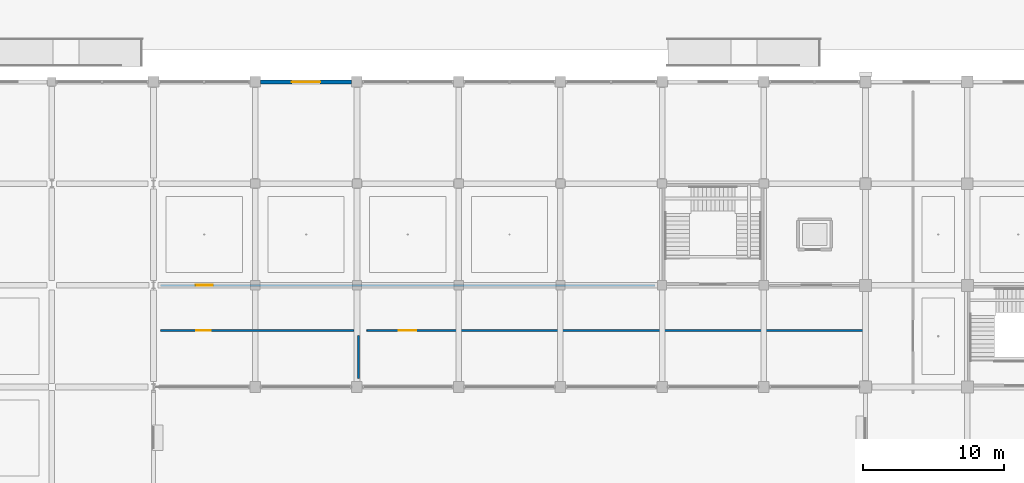
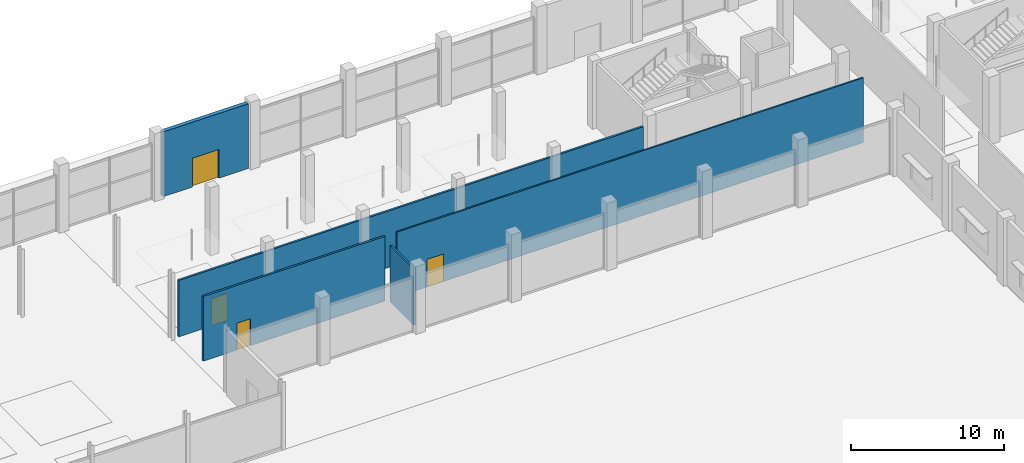
# One storey, part 63 of 90: 5 walls, 4 doors, 4 openings.
"""IFC4 building model written with IfcOpenShell, lengths in metres."""

import ifcopenshell
import ifcopenshell.guid

model = None  # the IFC model being written
_history = None  # IfcOwnerHistory: only IFC2X3 demands one
_inside = {}  # id of a spatial element -> (the spatial element, [elements in it])
_under = {}  # id of a project, library or spatial element -> (it, [spatial elements below it])
_declared = {}  # id of a project -> (the project, [libraries it declares])
_typed = {}  # id of a type object -> (the type object, [elements of that type])
_made_of = {}  # id of a material, layer set ... -> (it, [elements and type objects made of it])


def new_model(schema):
    """Start an empty IFC model of exactly this schema.

    Asked for "IFC4X3", IfcOpenShell would pick the latest addendum, in which some entities
    have other attributes; the version numbers below select the first issue.
    IFC2X3 requires an IfcOwnerHistory on every rooted entity: one is made here for all.
    """
    global model, _history
    if schema == "IFC4X3":
        model = ifcopenshell.file(schema_version=(4, 3, 0, 0))
    else:
        model = ifcopenshell.file(schema=schema)
    _inside.clear()
    _under.clear()
    _declared.clear()
    _typed.clear()
    _made_of.clear()
    _history = None
    if model.schema == "IFC2X3":
        org = make("IfcOrganization", Name="unknown")
        user = make(
            "IfcPersonAndOrganization",
            ThePerson=make("IfcPerson", FamilyName="unknown"),
            TheOrganization=org,
        )
        app = make(
            "IfcApplication",
            ApplicationDeveloper=org,
            Version="unknown",
            ApplicationFullName="unknown",
            ApplicationIdentifier="unknown",
        )
        _history = make(
            "IfcOwnerHistory",
            OwningUser=user,
            OwningApplication=app,
            ChangeAction="ADDED",
            CreationDate=0,
        )
    return model


def make(cls, **values):
    """One entity of the class cls with the attributes given. An attribute that is None is left unset."""
    return model.create_entity(
        cls, **{name: value for name, value in values.items() if value is not None}
    )


def rooted(cls, **values):
    """An entity with a GlobalId (a new one), such as an element, a storey or a relation."""
    return make(cls, GlobalId=ifcopenshell.guid.new(), OwnerHistory=_history, **values)


def si_unit(unit_type, name, prefix=None):
    """IfcSIUnit, for example si_unit("LENGTHUNIT", "METRE", prefix="MILLI")."""
    return make("IfcSIUnit", UnitType=unit_type, Prefix=prefix, Name=name)


def assignment(units):
    """IfcUnitAssignment: the units of a project."""
    return None if units is None else make("IfcUnitAssignment", Units=units)


def point(xyz):
    """IfcCartesianPoint."""
    return None if xyz is None else make("IfcCartesianPoint", Coordinates=xyz)


def direction(xyz):
    """IfcDirection."""
    return None if xyz is None else make("IfcDirection", DirectionRatios=xyz)


def frame(location, z_axis=None, x_axis=None):
    """IfcAxis2Placement3D, a coordinate frame: its origin and axes. An axis left out is left unset."""
    return make(
        "IfcAxis2Placement3D",
        Location=point(location),
        Axis=direction(z_axis),
        RefDirection=direction(x_axis),
    )


def frame_2d(location, x_axis=None):
    """IfcAxis2Placement2D, a coordinate frame in the plane: its origin and x axis."""
    return make(
        "IfcAxis2Placement2D", Location=point(location), RefDirection=direction(x_axis)
    )


def origin():
    """The frame at (0, 0, 0) with its axes left unset."""
    return frame((0.0, 0.0, 0.0))


def place(relative_to, where):
    """IfcLocalPlacement: puts the frame where relative to a parent placement (None: the world)."""
    return make(
        "IfcLocalPlacement", PlacementRelTo=relative_to, RelativePlacement=where
    )


def context(
    kind, dimensions, precision=None, world=None, true_north=None, identifier=None
):
    """IfcGeometricRepresentationContext, for example the 3D "Model" context."""
    return make(
        "IfcGeometricRepresentationContext",
        ContextIdentifier=identifier,
        ContextType=kind,
        CoordinateSpaceDimension=dimensions,
        Precision=precision,
        WorldCoordinateSystem=world,
        TrueNorth=true_north,
    )


def subcontext(parent, identifier, kind, view, scale=None):
    """IfcGeometricRepresentationSubContext, for example "Body" below "Model"."""
    return make(
        "IfcGeometricRepresentationSubContext",
        ContextIdentifier=identifier,
        ContextType=kind,
        ParentContext=parent,
        TargetScale=scale,
        TargetView=view,
    )


def project(units=None, contexts=None):
    """IfcProject with its units and contexts."""
    return rooted(
        "IfcProject",
        Name="project",
        RepresentationContexts=contexts,
        UnitsInContext=assignment(units),
    )


def spatial(cls, under=None, at=None, **own):
    """A site, building, storey or space (cls), placed at a placement, below another one or the project."""
    s = rooted(cls, ObjectPlacement=at, **own)
    if under is not None:
        _under.setdefault(under.id(), (under, []))[1].append(s)
    return s


def profile(cls, at=None, kind="AREA", **sizes):
    """A parametric profile (cls). Its sizes go by their IFC names, for example OverallWidth=200.0."""
    return make(cls, ProfileType=kind, Position=at, **sizes)


def rectangle(**sizes):
    """IfcRectangleProfileDef."""
    return profile("IfcRectangleProfileDef", **sizes)


def extrude(swept, where, along, depth):
    """IfcExtrudedAreaSolid: the profile swept, set in the frame where, extruded along a direction by depth."""
    return make(
        "IfcExtrudedAreaSolid",
        SweptArea=swept,
        Position=where,
        ExtrudedDirection=direction(along),
        Depth=depth,
    )


def shape(context_of_items, identifier, shape_type, items):
    """IfcShapeRepresentation: the items that make up one representation, for example the "Body"."""
    return make(
        "IfcShapeRepresentation",
        ContextOfItems=context_of_items,
        RepresentationIdentifier=identifier,
        RepresentationType=shape_type,
        Items=items,
    )


def material(Name=None, Category=None):
    """IfcMaterial."""
    return make("IfcMaterial", Name=Name, Category=Category)


def layer(
    of_material, thickness, ventilated=None, Name=None, Category=None, Priority=None
):
    """IfcMaterialLayer: one layer of a wall or slab, of a material (None: an air gap)."""
    return make(
        "IfcMaterialLayer",
        Material=of_material,
        LayerThickness=thickness,
        IsVentilated=ventilated,
        Name=Name,
        Category=Category,
        Priority=Priority,
    )


def layer_set(layers, Name=None):
    """IfcMaterialLayerSet."""
    return make("IfcMaterialLayerSet", MaterialLayers=layers, LayerSetName=Name)


def made_of(thing, what):
    """Note that an element or type object is made of a material, layer set ...; save() writes the relation."""
    if what is not None:
        _made_of.setdefault(what.id(), (what, []))[1].append(thing)
    return thing


def type_object(cls, material=None, **own):
    """A type object (cls), such as IfcWallType, which elements share."""
    return made_of(rooted(cls, **own), material)


def element(
    cls,
    number,
    at=None,
    inside=None,
    cuts=None,
    type_object=None,
    material=None,
    context=None,
    identifier="Body",
    shape_type=None,
    held_by="IfcProductDefinitionShape",
    body=None,
    shapes=None,
    **own,
):
    """One element of the class cls, such as IfcWall. Its Tag is "e" and its number.

    at: its placement. inside: the storey or other place that contains it. cuts: it is an
    opening in that element (IfcRelVoidsElement). A single representation is given by context,
    identifier, shape_type and body (its items); several are given by shapes. held_by: the class
    of the entity that holds the representations. save() writes the other relations.
    """
    e = rooted(cls, Tag="e%d" % number, ObjectPlacement=at, **own)
    if body is not None:
        shapes = [shape(context, identifier, shape_type, body)]
    if shapes is not None:
        e.Representation = make(held_by, Representations=shapes)
    if inside is not None:
        _inside.setdefault(inside.id(), (inside, []))[1].append(e)
    if cuts is not None:
        rooted(
            "IfcRelVoidsElement", RelatingBuildingElement=cuts, RelatedOpeningElement=e
        )
    if type_object is not None:
        _typed.setdefault(type_object.id(), (type_object, []))[1].append(e)
    return made_of(e, material)


def fill(opening, filler):
    """IfcRelFillsElement: the door or window that sits in an opening."""
    return rooted(
        "IfcRelFillsElement",
        RelatingOpeningElement=opening,
        RelatedBuildingElement=filler,
    )


def aggregate(whole, parts):
    """IfcRelAggregates: a whole, such as a stair, and the parts it consists of."""
    return rooted("IfcRelAggregates", RelatingObject=whole, RelatedObjects=parts)


def save(model, path):
    """Write the relations noted so far, then the file.

    IfcRelAggregates (storeys below a building ...), IfcRelContainedInSpatialStructure (elements
    in a storey), IfcRelDefinesByType, IfcRelAssociatesMaterial and IfcRelDeclares: one each for
    every whole, place, type object, material and project.
    """
    for whole, parts in _under.values():
        aggregate(whole, parts)
    for where, things in _inside.values():
        rooted(
            "IfcRelContainedInSpatialStructure",
            RelatedElements=things,
            RelatingStructure=where,
        )
    for kind, things in _typed.values():
        rooted("IfcRelDefinesByType", RelatedObjects=things, RelatingType=kind)
    for what, things in _made_of.values():
        rooted("IfcRelAssociatesMaterial", RelatedObjects=things, RelatingMaterial=what)
    for by, libraries in _declared.values():
        rooted("IfcRelDeclares", RelatingContext=by, RelatedDefinitions=libraries)
    model.write(path)


model = new_model("IFC4")

# Units and contexts
model_context = context("Model", 3, precision=1e-05, world=origin(), true_north=direction((0.0, 1.0)))
body_context = subcontext(model_context, "Body", "Model", "MODEL_VIEW")
ifc_project = project(units=[si_unit("LENGTHUNIT", "METRE"), si_unit("AREAUNIT", "SQUARE_METRE"), si_unit("VOLUMEUNIT", "CUBIC_METRE"), si_unit("PLANEANGLEUNIT", "RADIAN"), si_unit("MASSUNIT", "GRAM", prefix="KILO")], contexts=[model_context])

# Site, building, storey
site_placement = place(None, origin())
site = spatial("IfcSite", under=ifc_project, at=site_placement, CompositionType="ELEMENT")
building_placement = place(site_placement, origin())
building = spatial("IfcBuilding", under=site, at=building_placement, Name="Kangsadwip Square Police Headquarters", CompositionType="ELEMENT")
storey_placement = place(building_placement, origin())
storey = spatial("IfcBuildingStorey", under=building, at=storey_placement, Name="L00", CompositionType="ELEMENT", Elevation=0.0)

# Wall, opening, door
ifc_material_1 = material(Name="Fire-rated double gypsum board acoustic stud partition", Category="masonry")
ifc_layer_1 = layer(ifc_material_1, 0.1201171875)
ifc_layer_set_1 = layer_set([ifc_layer_1], Name="Fire-rated double gypsum board acoustic stud partition")
wall_type_1 = type_object("IfcWallType", Name="AcousticPartition120", PredefinedType="PARTITIONING", material=ifc_layer_set_1)
wall_1_placement = place(storey_placement, frame((108.699951171875, 97.60009765625, 0.0), z_axis=(0.0, 0.0, 1.0), x_axis=(1.0, 0.0, 0.0)))
wall_1 = element("IfcWall", 1, at=wall_1_placement, inside=storey, type_object=wall_type_1, Name="Interior Wall WI-L00-0688", PredefinedType="PARTITIONING", context=body_context, shape_type="SweptSolid", body=[
    extrude(rectangle(XDim=35.150146484375, YDim=0.1201171875, at=frame_2d((17.5751953125, 0.0))), origin(), (0.0, 0.0, 1.0), 5.159912109375),
])
opening_1_placement = place(wall_1_placement, frame((2.259033203125, 0.0, 0.0)))
opening_1 = element("IfcOpeningElement", 2, at=opening_1_placement, cuts=wall_1, Name="Opening ID-12A", PredefinedType="OPENING", context=body_context, shape_type="SweptSolid", body=[
    extrude(rectangle(XDim=1.25, YDim=2.199951171875, at=frame_2d((0.625, 1.10009765625))), frame((0.0, 0.070068359375, 0.0), z_axis=(0.0, -1.0, 0.0), x_axis=(1.0, 0.0, 0.0)), (0.0, 0.0, 1.0), 0.14013671875),
])
ifc_material_2 = material(Name="Solid-core seasoned teak hardwood architectural door", Category="wood")
door_type_1 = type_object("IfcDoorType", Name="ClassroomDoor1250x2200", OperationType="NOTDEFINED", PredefinedType="DOOR", material=ifc_material_2)
door_1_placement = place(opening_1_placement, origin())
door_1 = element("IfcDoor", 3, at=door_1_placement, inside=storey, type_object=door_type_1, Name="Interior Door ID-L00-0138", OperationType="SINGLE_SWING_LEFT", OverallHeight=2.199951171875, OverallWidth=1.25, PredefinedType="DOOR", context=body_context, shape_type="SweptSolid", body=[
    extrude(rectangle(XDim=1.25, YDim=2.199951171875, at=frame_2d((0.625, 1.10009765625))), frame((0.0, 0.02490234375, 0.0), z_axis=(0.0, -1.0, 0.0), x_axis=(1.0, 0.0, 0.0)), (0.0, 0.0, 1.0), 0.050048828125),
])
fill(opening_1, door_1)

# Wall
ifc_material_3 = material(Name="Autoclaved aerated concrete blockwork masonry", Category="masonry")
ifc_layer_2 = layer(ifc_material_3, 0.14990234375)
ifc_layer_set_2 = layer_set([ifc_layer_2], Name="Autoclaved aerated concrete blockwork masonry")
wall_type_2 = type_object("IfcWallType", Name="BlockPartition150", PredefinedType="PARTITIONING", material=ifc_layer_set_2)
wall_2_placement = place(storey_placement, frame((108.10009765625, 94.199951171875, 0.0), z_axis=(0.0, 0.0, 1.0), x_axis=(0.0, 1.0, 0.0)))
element("IfcWall", 4, at=wall_2_placement, inside=storey, type_object=wall_type_2, Name="Interior Wall WI-L00-0686", PredefinedType="PARTITIONING", context=body_context, shape_type="SweptSolid", body=[
    extrude(rectangle(XDim=3.050048828125, YDim=0.14990234375, at=frame_2d((1.52490234375, 0.0))), origin(), (0.0, 0.0, 1.0), 4.5),
])

# Wall, opening, door
wall_3_placement = place(storey_placement, frame((94.10009765625, 97.60009765625, 0.0), z_axis=(0.0, 0.0, 1.0), x_axis=(1.0, 0.0, 0.0)))
wall_3 = element("IfcWall", 5, at=wall_3_placement, inside=storey, type_object=wall_type_2, Name="Interior Wall WI-L00-0687", PredefinedType="PARTITIONING", context=body_context, shape_type="SweptSolid", body=[
    extrude(rectangle(XDim=13.699951171875, YDim=0.14990234375, at=frame_2d((6.85009765625, 0.0))), origin(), (0.0, 0.0, 1.0), 5.159912109375),
])
opening_2_placement = place(wall_3_placement, frame((2.533935546875, 0.0, 0.0)))
opening_2 = element("IfcOpeningElement", 6, at=opening_2_placement, cuts=wall_3, Name="Opening FD-10C", PredefinedType="OPENING", context=body_context, shape_type="SweptSolid", body=[
    extrude(rectangle(XDim=1.02001953125, YDim=2.14990234375, at=frame_2d((0.510009765625, 1.074951171875))), frame((0.0, 0.0849609375, 0.0), z_axis=(0.0, -1.0, 0.0), x_axis=(1.0, 0.0, 0.0)), (0.0, 0.0, 1.0), 0.169921875),
])
ifc_material_4 = material(Name="Insulated galvanized steel fire-rated door assembly", Category="steel")
door_type_2 = type_object("IfcDoorType", Name="LabSingleDoor1020x2150", OperationType="NOTDEFINED", PredefinedType="DOOR", material=ifc_material_4)
door_2_placement = place(opening_2_placement, origin())
door_2 = element("IfcDoor", 7, at=door_2_placement, inside=storey, type_object=door_type_2, Name="Interior Door ID-L00-0137", OperationType="SINGLE_SWING_RIGHT", OverallHeight=2.14990234375, OverallWidth=1.02001953125, PredefinedType="DOOR", context=body_context, shape_type="SweptSolid", body=[
    extrude(rectangle(XDim=1.02001953125, YDim=2.14990234375, at=frame_2d((0.510009765625, 1.074951171875))), frame((0.0, 0.02490234375, 0.0), z_axis=(0.0, -1.0, 0.0), x_axis=(1.0, 0.0, 0.0)), (0.0, 0.0, 1.0), 0.050048828125),
])
fill(opening_2, door_2)

wall_4_placement = place(storey_placement, frame((94.10009765625, 100.800048828125, 0.0), z_axis=(0.0, 0.0, 1.0), x_axis=(1.0, 0.0, 0.0)))
wall_4 = element("IfcWall", 8, at=wall_4_placement, inside=storey, type_object=wall_type_2, Name="Interior Wall WI-L00-0689", PredefinedType="PARTITIONING", context=body_context, shape_type="SweptSolid", body=[
    extrude(rectangle(XDim=35.0, YDim=0.14990234375, at=frame_2d((17.5, 0.0))), origin(), (0.0, 0.0, 1.0), 4.5),
])
opening_3_placement = place(wall_4_placement, frame((2.5029296875, 0.0, 0.0)))
opening_3 = element("IfcOpeningElement", 9, at=opening_3_placement, cuts=wall_4, Name="Opening ID-12B", PredefinedType="OPENING", context=body_context, shape_type="SweptSolid", body=[
    extrude(rectangle(XDim=1.199951171875, YDim=2.14990234375, at=frame_2d((0.60009765625, 1.074951171875))), frame((0.0, 0.0849609375, 0.0), z_axis=(0.0, -1.0, 0.0), x_axis=(1.0, 0.0, 0.0)), (0.0, 0.0, 1.0), 0.169921875),
])
ifc_material_5 = material(Name="Solid-core seasoned teak hardwood architectural door", Category="wood")
door_type_3 = type_object("IfcDoorType", Name="ClinicDoor1200x2150", OperationType="NOTDEFINED", PredefinedType="DOOR", material=ifc_material_5)
door_3_placement = place(opening_3_placement, origin())
door_3 = element("IfcDoor", 10, at=door_3_placement, inside=storey, type_object=door_type_3, Name="Interior Door ID-L00-0139", OperationType="SINGLE_SWING_RIGHT", OverallHeight=2.14990234375, OverallWidth=1.199951171875, PredefinedType="DOOR", context=body_context, shape_type="SweptSolid", body=[
    extrude(rectangle(XDim=1.199951171875, YDim=2.14990234375, at=frame_2d((0.60009765625, 1.074951171875))), frame((0.0, 0.02490234375, 0.0), z_axis=(0.0, -1.0, 0.0), x_axis=(1.0, 0.0, 0.0)), (0.0, 0.0, 1.0), 0.050048828125),
])
fill(opening_3, door_3)

ifc_material_6 = material(Name="Glazed architectural terracotta masonry rainscreen", Category="masonry")
ifc_layer_3 = layer(ifc_material_6, 0.300048828125)
ifc_layer_set_3 = layer_set([ifc_layer_3], Name="Glazed architectural terracotta masonry rainscreen")
wall_type_3 = type_object("IfcWallType", Name="PlinthArcadeWall300", PredefinedType="SOLIDWALL", material=ifc_layer_set_3)
wall_5_placement = place(storey_placement, frame((101.169921875, 115.199951171875, 0.0), z_axis=(0.0, 0.0, 1.0), x_axis=(1.0, 0.0, 0.0)))
wall_5 = element("IfcWall", 11, at=wall_5_placement, inside=storey, type_object=wall_type_3, Name="Exterior Wall WE-L00-159", PredefinedType="SOLIDWALL", context=body_context, shape_type="SweptSolid", body=[
    extrude(rectangle(XDim=6.4599609375, YDim=0.300048828125, at=frame_2d((3.22998046875, 0.0))), origin(), (0.0, 0.0, 1.0), 5.159912109375),
])
opening_4_placement = place(wall_5_placement, frame((2.22998046875, 0.0, 0.0)))
opening_4 = element("IfcOpeningElement", 12, at=opening_4_placement, cuts=wall_5, Name="Opening ED-12", PredefinedType="OPENING", context=body_context, shape_type="SweptSolid", body=[
    extrude(rectangle(XDim=2.0, YDim=2.300048828125, at=frame_2d((1.0, 1.14990234375))), frame((0.0, 0.159912109375, 0.0), z_axis=(0.0, -1.0, 0.0), x_axis=(1.0, 0.0, 0.0)), (0.0, 0.0, 1.0), 0.320068359375),
])
ifc_material_7 = material(Name="Galvanized hollow-metal architectural steel door assembly", Category="steel")
door_type_4 = type_object("IfcDoorType", Name="FinalExitDoubleDoor2000x2300", OperationType="DOUBLE_DOOR_SINGLE_SWING", PredefinedType="DOOR", material=ifc_material_7)
door_4_placement = place(opening_4_placement, origin())
door_4 = element("IfcDoor", 13, at=door_4_placement, inside=storey, type_object=door_type_4, Name="Exterior Door ED-12", OperationType="DOUBLE_DOOR_SINGLE_SWING", OverallHeight=2.300048828125, OverallWidth=2.0, PredefinedType="DOOR", context=body_context, shape_type="SweptSolid", body=[
    extrude(rectangle(XDim=2.0, YDim=2.300048828125, at=frame_2d((1.0, 1.14990234375))), frame((0.0, 0.02490234375, 0.0), z_axis=(0.0, -1.0, 0.0), x_axis=(1.0, 0.0, 0.0)), (0.0, 0.0, 1.0), 0.050048828125),
])
fill(opening_4, door_4)

save(model, "model.ifc")
